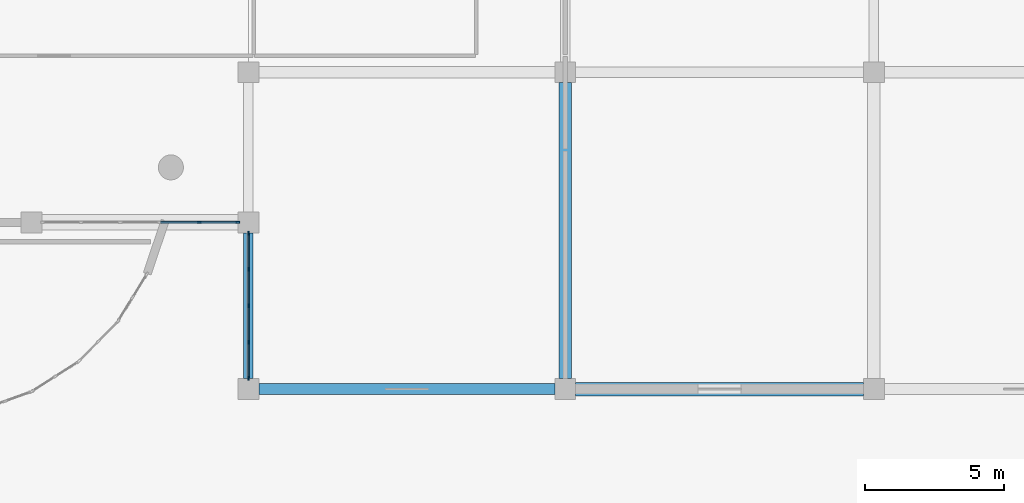
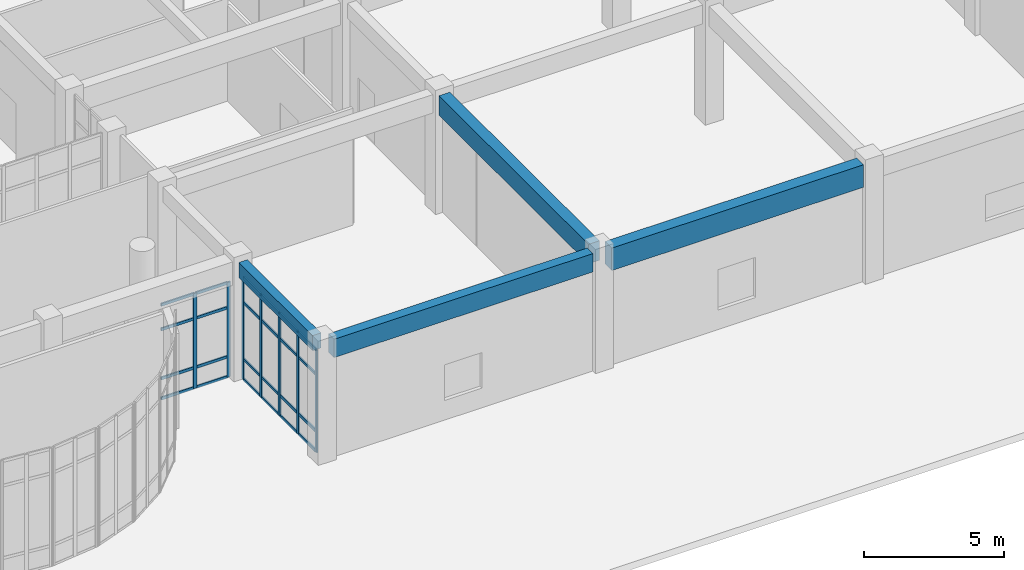
# One storey, part 24 of 70: 31 members, 4 beams, 2 elements without a shape of their own.
"""IFC4 building model written with IfcOpenShell, lengths in metres."""

from ifc_helpers import new_model, si_unit, direction, frame, origin, origin_2d, place, context, subcontext, project, spatial, rectangle, extrude, material, layer, layer_set, material_profile, profile_set, type_object, element, aggregate, save


model = new_model("IFC4")

# Units and contexts
model_context = context("Model", 3, precision=1e-05, world=origin(), true_north=direction((0.0, 1.0)))
body_context = subcontext(model_context, "Body", "Model", "MODEL_VIEW")
ifc_project = project(units=[si_unit("LENGTHUNIT", "METRE"), si_unit("AREAUNIT", "SQUARE_METRE"), si_unit("VOLUMEUNIT", "CUBIC_METRE"), si_unit("PLANEANGLEUNIT", "RADIAN"), si_unit("MASSUNIT", "GRAM", prefix="KILO")], contexts=[model_context])

# Site, building, storey
site_placement = place(None, origin())
site = spatial("IfcSite", under=ifc_project, at=site_placement, CompositionType="ELEMENT")
building_placement = place(site_placement, origin())
building = spatial("IfcBuilding", under=site, at=building_placement, Name="Miralva Faculty of Natural Sciences", CompositionType="ELEMENT")
storey_placement = place(building_placement, origin())
storey = spatial("IfcBuildingStorey", under=building, at=storey_placement, Name="L00", CompositionType="ELEMENT", Elevation=0.0)

# Beams
ifc_material_1 = material(Name="Concrete C40/50", Category="concrete")
ifc_material_profile_1 = material_profile(ifc_material_1, rectangle(XDim=0.449951171875, YDim=0.85009765625, at=origin_2d()), Name="RC 450x850")
ifc_profile_set_1 = profile_set([ifc_material_profile_1], Name="Concrete C40/50")
beam_type_1 = type_object("IfcBeamType", Name="BM-B01", PredefinedType="BEAM", material=ifc_profile_set_1)
beam_1_placement = place(storey_placement, frame((145.199951171875, 12.375, 4.695068359375), z_axis=(0.0, 1.0, 0.0), x_axis=(-1.0, 0.0, 0.0)))
element("IfcBeam", 1, at=beam_1_placement, inside=storey, type_object=beam_type_1, Name="Girder NS L00-187", PredefinedType="BEAM", context=body_context, shape_type="SweptSolid", body=[
    extrude(rectangle(XDim=0.449951171875, YDim=0.85009765625, at=origin_2d()), origin(), (0.0, 0.0, 1.0), 10.64990234375),
])
ifc_material_profile_2 = material_profile(ifc_material_1, rectangle(XDim=0.39990234375, YDim=0.800048828125, at=origin_2d()), Name="RC 400x800")
ifc_profile_set_2 = profile_set([ifc_material_profile_2], Name="Concrete C40/50")
beam_type_2 = type_object("IfcBeamType", Name="BM-B02", PredefinedType="BEAM", material=ifc_profile_set_2)
beam_2_placement = place(storey_placement, frame((134.175048828125, 12.0, 4.719970703125), z_axis=(1.0, 0.0, 0.0), x_axis=(0.0, 1.0, 0.0)))
element("IfcBeam", 2, at=beam_2_placement, inside=storey, type_object=beam_type_2, Name="Girder EW L00-16", PredefinedType="BEAM", context=body_context, shape_type="SweptSolid", body=[
    extrude(rectangle(XDim=0.39990234375, YDim=0.800048828125, at=origin_2d()), origin(), (0.0, 0.0, 1.0), 10.64990234375),
])
ifc_material_profile_3 = material_profile(ifc_material_1, rectangle(XDim=0.35009765625, YDim=0.64990234375, at=origin_2d()), Name="RC 350x650")
ifc_profile_set_3 = profile_set([ifc_material_profile_3], Name="Concrete C40/50")
beam_type_3 = type_object("IfcBeamType", Name="BM-B05", PredefinedType="BEAM", material=ifc_profile_set_3)
beam_3_placement = place(storey_placement, frame((133.800048828125, 12.375, 4.794921875), z_axis=(0.0, 1.0, 0.0), x_axis=(-1.0, 0.0, 0.0)))
element("IfcBeam", 3, at=beam_3_placement, inside=storey, type_object=beam_type_3, Name="Girder NS L00-175", PredefinedType="BEAM", context=body_context, shape_type="SweptSolid", body=[
    extrude(rectangle(XDim=0.35009765625, YDim=0.64990234375, at=origin_2d()), origin(), (0.0, 0.0, 1.0), 5.25),
])
ifc_material_profile_4 = material_profile(ifc_material_1, rectangle(XDim=0.47998046875, YDim=0.97998046875, at=origin_2d()), Name="RC 480x980")
ifc_profile_set_4 = profile_set([ifc_material_profile_4], Name="Concrete C40/50")
beam_type_4 = type_object("IfcBeamType", Name="BM-BG18", PredefinedType="BEAM", material=ifc_profile_set_4)
beam_4_placement = place(storey_placement, frame((145.574951171875, 12.0, 4.6298828125), z_axis=(1.0, 0.0, 0.0), x_axis=(0.0, 1.0, 0.0)))
element("IfcBeam", 4, at=beam_4_placement, inside=storey, type_object=beam_type_4, Name="Girder EW L00-17", PredefinedType="BEAM", context=body_context, shape_type="SweptSolid", body=[
    extrude(rectangle(XDim=0.47998046875, YDim=0.97998046875, at=origin_2d()), origin(), (0.0, 0.0, 1.0), 10.35009765625),
])

# Curtain wall, members
ifc_material_2 = material(Name="Laminated solar-control glass", Category="glass")
ifc_layer_1 = layer(ifc_material_2, 0.179931640625, Name="CW-COM-L00")
ifc_layer_set_1 = layer_set([ifc_layer_1], Name="Laminated solar-control glass")
curtain_wall_type_1 = type_object("IfcCurtainWallType", Name="CW-COM-L00", PredefinedType="USERDEFINED", material=ifc_layer_set_1)
curtain_wall_1_placement = place(storey_placement, origin())
curtain_wall_1 = element("IfcCurtainWall", 5, at=curtain_wall_1_placement, inside=storey, type_object=curtain_wall_type_1, Name="Curtain wall CW-09 L00-255", ObjectType="UNITISED CURTAIN WALL", PredefinedType="USERDEFINED")
ifc_material_3 = material(Name="Anodised aluminium", Category="aluminium")
ifc_material_profile_5 = material_profile(ifc_material_3, rectangle(XDim=0.06005859375, YDim=0.139892578125, at=origin_2d()), Name="MULLION 60x140")
ifc_profile_set_5 = profile_set([ifc_material_profile_5], Name="Anodised aluminium")
member_type_1 = type_object("IfcMemberType", Name="CW-M03", PredefinedType="MULLION", material=ifc_profile_set_5)
member_1_placement = place(storey_placement, frame((133.800048828125, 12.39501953125, 0.0), z_axis=(0.0, 0.0, 1.0), x_axis=(-1.0, 0.0, 0.0)))
member_1 = element("IfcMember", 6, at=member_1_placement, type_object=member_type_1, Name="CW-09 mullion 1", PredefinedType="MULLION", context=body_context, shape_type="SweptSolid", body=[
    extrude(rectangle(XDim=0.06005859375, YDim=0.139892578125, at=origin_2d()), origin(), (0.0, 0.0, 1.0), 4.465087890625),
])
member_2_placement = place(storey_placement, frame((133.800048828125, 13.6826171875, 0.0), z_axis=(0.0, 0.0, 1.0), x_axis=(-1.0, 0.0, 0.0)))
member_2 = element("IfcMember", 7, at=member_2_placement, type_object=member_type_1, Name="CW-09 mullion 2", PredefinedType="MULLION", context=body_context, shape_type="SweptSolid", body=[
    extrude(rectangle(XDim=0.06005859375, YDim=0.139892578125, at=origin_2d()), origin(), (0.0, 0.0, 1.0), 4.465087890625),
])
member_3_placement = place(storey_placement, frame((133.800048828125, 15.0, 0.0), z_axis=(0.0, 0.0, 1.0), x_axis=(-1.0, 0.0, 0.0)))
member_3 = element("IfcMember", 8, at=member_3_placement, type_object=member_type_1, Name="CW-09 mullion 3", PredefinedType="MULLION", context=body_context, shape_type="SweptSolid", body=[
    extrude(rectangle(XDim=0.06005859375, YDim=0.139892578125, at=origin_2d()), origin(), (0.0, 0.0, 1.0), 4.465087890625),
])
member_4_placement = place(storey_placement, frame((133.800048828125, 16.3173828125, 0.0), z_axis=(0.0, 0.0, 1.0), x_axis=(-1.0, 0.0, 0.0)))
member_4 = element("IfcMember", 9, at=member_4_placement, type_object=member_type_1, Name="CW-09 mullion 4", PredefinedType="MULLION", context=body_context, shape_type="SweptSolid", body=[
    extrude(rectangle(XDim=0.06005859375, YDim=0.139892578125, at=origin_2d()), origin(), (0.0, 0.0, 1.0), 4.465087890625),
])
member_5_placement = place(storey_placement, frame((133.800048828125, 17.60498046875, 0.0), z_axis=(0.0, 0.0, 1.0), x_axis=(-1.0, 0.0, 0.0)))
member_5 = element("IfcMember", 10, at=member_5_placement, type_object=member_type_1, Name="CW-09 mullion 5", PredefinedType="MULLION", context=body_context, shape_type="SweptSolid", body=[
    extrude(rectangle(XDim=0.06005859375, YDim=0.139892578125, at=origin_2d()), origin(), (0.0, 0.0, 1.0), 4.465087890625),
])

ifc_layer_2 = layer(ifc_material_2, 0.179931640625, Name="CW-COM-L01")
ifc_layer_set_2 = layer_set([ifc_layer_2], Name="Laminated solar-control glass")
curtain_wall_type_2 = type_object("IfcCurtainWallType", Name="CW-COM-L01", PredefinedType="USERDEFINED", material=ifc_layer_set_2)
curtain_wall_2_placement = place(storey_placement, origin())
curtain_wall_2 = element("IfcCurtainWall", 11, at=curtain_wall_2_placement, inside=storey, type_object=curtain_wall_type_2, Name="Curtain wall CW-10 L00-284", ObjectType="UNITISED CURTAIN WALL", PredefinedType="USERDEFINED")
member_6_placement = place(storey_placement, frame((132.029052734375, 18.0, 0.0), z_axis=(0.0, 0.0, 1.0), x_axis=(0.0, 1.0, 0.0)))
member_6 = element("IfcMember", 12, at=member_6_placement, type_object=member_type_1, Name="CW-10 mullion 5", PredefinedType="MULLION", context=body_context, shape_type="SweptSolid", body=[
    extrude(rectangle(XDim=0.06005859375, YDim=0.139892578125, at=origin_2d()), origin(), (0.0, 0.0, 1.0), 4.135009765625),
])
member_7_placement = place(storey_placement, frame((133.4150390625, 18.0, 0.0), z_axis=(0.0, 0.0, 1.0), x_axis=(0.0, 1.0, 0.0)))
member_7 = element("IfcMember", 13, at=member_7_placement, type_object=member_type_1, Name="CW-10 mullion 6", PredefinedType="MULLION", context=body_context, shape_type="SweptSolid", body=[
    extrude(rectangle(XDim=0.06005859375, YDim=0.139892578125, at=origin_2d()), origin(), (0.0, 0.0, 1.0), 4.135009765625),
])

# Member
ifc_material_profile_6 = material_profile(ifc_material_3, rectangle(XDim=0.06005859375, YDim=0.1201171875, at=origin_2d()), Name="TRANSOM 60x120")
ifc_profile_set_6 = profile_set([ifc_material_profile_6], Name="Anodised aluminium")
member_type_2 = type_object("IfcMemberType", Name="CW-T02", PredefinedType="USERDEFINED", material=ifc_profile_set_6)
member_8_placement = place(storey_placement, frame((133.800048828125, 12.425048828125, 0.030029296875), z_axis=(0.0, 1.0, 0.0), x_axis=(-1.0, 0.0, 0.0)))
member_8 = element("IfcMember", 14, at=member_8_placement, type_object=member_type_2, Name="CW-09 transom 1.1", ObjectType="TRANSOM", PredefinedType="USERDEFINED", context=body_context, shape_type="SweptSolid", body=[
    extrude(rectangle(XDim=0.06005859375, YDim=0.1201171875, at=origin_2d()), origin(), (0.0, 0.0, 1.0), 1.2275390625),
])

member_9_placement = place(storey_placement, frame((133.800048828125, 12.425048828125, 0.89990234375), z_axis=(0.0, 1.0, 0.0), x_axis=(-1.0, 0.0, 0.0)))
member_9 = element("IfcMember", 15, at=member_9_placement, type_object=member_type_2, Name="CW-09 transom 1.2", ObjectType="TRANSOM", PredefinedType="USERDEFINED", context=body_context, shape_type="SweptSolid", body=[
    extrude(rectangle(XDim=0.06005859375, YDim=0.1201171875, at=origin_2d()), origin(), (0.0, 0.0, 1.0), 1.2275390625),
])

member_10_placement = place(storey_placement, frame((133.800048828125, 12.425048828125, 3.364990234375), z_axis=(0.0, 1.0, 0.0), x_axis=(-1.0, 0.0, 0.0)))
member_10 = element("IfcMember", 16, at=member_10_placement, type_object=member_type_2, Name="CW-09 transom 1.3", ObjectType="TRANSOM", PredefinedType="USERDEFINED", context=body_context, shape_type="SweptSolid", body=[
    extrude(rectangle(XDim=0.06005859375, YDim=0.1201171875, at=origin_2d()), origin(), (0.0, 0.0, 1.0), 1.2275390625),
])

member_11_placement = place(storey_placement, frame((133.800048828125, 12.425048828125, 4.43505859375), z_axis=(0.0, 1.0, 0.0), x_axis=(-1.0, 0.0, 0.0)))
member_11 = element("IfcMember", 17, at=member_11_placement, type_object=member_type_2, Name="CW-09 transom 1.4", ObjectType="TRANSOM", PredefinedType="USERDEFINED", context=body_context, shape_type="SweptSolid", body=[
    extrude(rectangle(XDim=0.06005859375, YDim=0.1201171875, at=origin_2d()), origin(), (0.0, 0.0, 1.0), 1.2275390625),
])

member_12_placement = place(storey_placement, frame((133.800048828125, 13.71240234375, 0.030029296875), z_axis=(0.0, 1.0, 0.0), x_axis=(-1.0, 0.0, 0.0)))
member_12 = element("IfcMember", 18, at=member_12_placement, type_object=member_type_2, Name="CW-09 transom 2.1", ObjectType="TRANSOM", PredefinedType="USERDEFINED", context=body_context, shape_type="SweptSolid", body=[
    extrude(rectangle(XDim=0.06005859375, YDim=0.1201171875, at=origin_2d()), origin(), (0.0, 0.0, 1.0), 1.257568359375),
])

member_13_placement = place(storey_placement, frame((133.800048828125, 13.71240234375, 0.89990234375), z_axis=(0.0, 1.0, 0.0), x_axis=(-1.0, 0.0, 0.0)))
member_13 = element("IfcMember", 19, at=member_13_placement, type_object=member_type_2, Name="CW-09 transom 2.2", ObjectType="TRANSOM", PredefinedType="USERDEFINED", context=body_context, shape_type="SweptSolid", body=[
    extrude(rectangle(XDim=0.06005859375, YDim=0.1201171875, at=origin_2d()), origin(), (0.0, 0.0, 1.0), 1.257568359375),
])

member_14_placement = place(storey_placement, frame((133.800048828125, 13.71240234375, 3.364990234375), z_axis=(0.0, 1.0, 0.0), x_axis=(-1.0, 0.0, 0.0)))
member_14 = element("IfcMember", 20, at=member_14_placement, type_object=member_type_2, Name="CW-09 transom 2.3", ObjectType="TRANSOM", PredefinedType="USERDEFINED", context=body_context, shape_type="SweptSolid", body=[
    extrude(rectangle(XDim=0.06005859375, YDim=0.1201171875, at=origin_2d()), origin(), (0.0, 0.0, 1.0), 1.257568359375),
])

member_15_placement = place(storey_placement, frame((133.800048828125, 13.71240234375, 4.43505859375), z_axis=(0.0, 1.0, 0.0), x_axis=(-1.0, 0.0, 0.0)))
member_15 = element("IfcMember", 21, at=member_15_placement, type_object=member_type_2, Name="CW-09 transom 2.4", ObjectType="TRANSOM", PredefinedType="USERDEFINED", context=body_context, shape_type="SweptSolid", body=[
    extrude(rectangle(XDim=0.06005859375, YDim=0.1201171875, at=origin_2d()), origin(), (0.0, 0.0, 1.0), 1.257568359375),
])

member_16_placement = place(storey_placement, frame((133.800048828125, 15.030029296875, 0.030029296875), z_axis=(0.0, 1.0, 0.0), x_axis=(-1.0, 0.0, 0.0)))
member_16 = element("IfcMember", 22, at=member_16_placement, type_object=member_type_2, Name="CW-09 transom 3.1", ObjectType="TRANSOM", PredefinedType="USERDEFINED", context=body_context, shape_type="SweptSolid", body=[
    extrude(rectangle(XDim=0.06005859375, YDim=0.1201171875, at=origin_2d()), origin(), (0.0, 0.0, 1.0), 1.257568359375),
])

member_17_placement = place(storey_placement, frame((133.800048828125, 15.030029296875, 0.89990234375), z_axis=(0.0, 1.0, 0.0), x_axis=(-1.0, 0.0, 0.0)))
member_17 = element("IfcMember", 23, at=member_17_placement, type_object=member_type_2, Name="CW-09 transom 3.2", ObjectType="TRANSOM", PredefinedType="USERDEFINED", context=body_context, shape_type="SweptSolid", body=[
    extrude(rectangle(XDim=0.06005859375, YDim=0.1201171875, at=origin_2d()), origin(), (0.0, 0.0, 1.0), 1.257568359375),
])

member_18_placement = place(storey_placement, frame((133.800048828125, 15.030029296875, 3.364990234375), z_axis=(0.0, 1.0, 0.0), x_axis=(-1.0, 0.0, 0.0)))
member_18 = element("IfcMember", 24, at=member_18_placement, type_object=member_type_2, Name="CW-09 transom 3.3", ObjectType="TRANSOM", PredefinedType="USERDEFINED", context=body_context, shape_type="SweptSolid", body=[
    extrude(rectangle(XDim=0.06005859375, YDim=0.1201171875, at=origin_2d()), origin(), (0.0, 0.0, 1.0), 1.257568359375),
])

member_19_placement = place(storey_placement, frame((133.800048828125, 15.030029296875, 4.43505859375), z_axis=(0.0, 1.0, 0.0), x_axis=(-1.0, 0.0, 0.0)))
member_19 = element("IfcMember", 25, at=member_19_placement, type_object=member_type_2, Name="CW-09 transom 3.4", ObjectType="TRANSOM", PredefinedType="USERDEFINED", context=body_context, shape_type="SweptSolid", body=[
    extrude(rectangle(XDim=0.06005859375, YDim=0.1201171875, at=origin_2d()), origin(), (0.0, 0.0, 1.0), 1.257568359375),
])

member_20_placement = place(storey_placement, frame((133.800048828125, 16.347412109375, 0.030029296875), z_axis=(0.0, 1.0, 0.0), x_axis=(-1.0, 0.0, 0.0)))
member_20 = element("IfcMember", 26, at=member_20_placement, type_object=member_type_2, Name="CW-09 transom 4.1", ObjectType="TRANSOM", PredefinedType="USERDEFINED", context=body_context, shape_type="SweptSolid", body=[
    extrude(rectangle(XDim=0.06005859375, YDim=0.1201171875, at=origin_2d()), origin(), (0.0, 0.0, 1.0), 1.2275390625),
])

member_21_placement = place(storey_placement, frame((133.800048828125, 16.347412109375, 0.89990234375), z_axis=(0.0, 1.0, 0.0), x_axis=(-1.0, 0.0, 0.0)))
member_21 = element("IfcMember", 27, at=member_21_placement, type_object=member_type_2, Name="CW-09 transom 4.2", ObjectType="TRANSOM", PredefinedType="USERDEFINED", context=body_context, shape_type="SweptSolid", body=[
    extrude(rectangle(XDim=0.06005859375, YDim=0.1201171875, at=origin_2d()), origin(), (0.0, 0.0, 1.0), 1.2275390625),
])

member_22_placement = place(storey_placement, frame((133.800048828125, 16.347412109375, 3.364990234375), z_axis=(0.0, 1.0, 0.0), x_axis=(-1.0, 0.0, 0.0)))
member_22 = element("IfcMember", 28, at=member_22_placement, type_object=member_type_2, Name="CW-09 transom 4.3", ObjectType="TRANSOM", PredefinedType="USERDEFINED", context=body_context, shape_type="SweptSolid", body=[
    extrude(rectangle(XDim=0.06005859375, YDim=0.1201171875, at=origin_2d()), origin(), (0.0, 0.0, 1.0), 1.2275390625),
])

member_23_placement = place(storey_placement, frame((133.800048828125, 16.347412109375, 4.43505859375), z_axis=(0.0, 1.0, 0.0), x_axis=(-1.0, 0.0, 0.0)))
member_23 = element("IfcMember", 29, at=member_23_placement, type_object=member_type_2, Name="CW-09 transom 4.4", ObjectType="TRANSOM", PredefinedType="USERDEFINED", context=body_context, shape_type="SweptSolid", body=[
    extrude(rectangle(XDim=0.06005859375, YDim=0.1201171875, at=origin_2d()), origin(), (0.0, 0.0, 1.0), 1.2275390625),
])

aggregate(curtain_wall_1, [member_1, member_2, member_3, member_4, member_5, member_8, member_9, member_10, member_11, member_12, member_13, member_14, member_15, member_16, member_17, member_18, member_19, member_20, member_21, member_22, member_23])

member_24_placement = place(storey_placement, frame((130.64306640625, 18.0, 0.030029296875), z_axis=(1.0, 0.0, 0.0), x_axis=(0.0, 1.0, 0.0)))
member_24 = element("IfcMember", 30, at=member_24_placement, type_object=member_type_2, Name="CW-10 transom 4.1", ObjectType="TRANSOM", PredefinedType="USERDEFINED", context=body_context, shape_type="SweptSolid", body=[
    extrude(rectangle(XDim=0.06005859375, YDim=0.1201171875, at=origin_2d()), origin(), (0.0, 0.0, 1.0), 1.35595703125),
])

member_25_placement = place(storey_placement, frame((130.64306640625, 18.0, 0.89990234375), z_axis=(1.0, 0.0, 0.0), x_axis=(0.0, 1.0, 0.0)))
member_25 = element("IfcMember", 31, at=member_25_placement, type_object=member_type_2, Name="CW-10 transom 4.2", ObjectType="TRANSOM", PredefinedType="USERDEFINED", context=body_context, shape_type="SweptSolid", body=[
    extrude(rectangle(XDim=0.06005859375, YDim=0.1201171875, at=origin_2d()), origin(), (0.0, 0.0, 1.0), 1.35595703125),
])

member_26_placement = place(storey_placement, frame((130.64306640625, 18.0, 3.034912109375), z_axis=(1.0, 0.0, 0.0), x_axis=(0.0, 1.0, 0.0)))
member_26 = element("IfcMember", 32, at=member_26_placement, type_object=member_type_2, Name="CW-10 transom 4.3", ObjectType="TRANSOM", PredefinedType="USERDEFINED", context=body_context, shape_type="SweptSolid", body=[
    extrude(rectangle(XDim=0.06005859375, YDim=0.1201171875, at=origin_2d()), origin(), (0.0, 0.0, 1.0), 1.35595703125),
])

member_27_placement = place(storey_placement, frame((130.64306640625, 18.0, 4.10498046875), z_axis=(1.0, 0.0, 0.0), x_axis=(0.0, 1.0, 0.0)))
member_27 = element("IfcMember", 33, at=member_27_placement, type_object=member_type_2, Name="CW-10 transom 4.4", ObjectType="TRANSOM", PredefinedType="USERDEFINED", context=body_context, shape_type="SweptSolid", body=[
    extrude(rectangle(XDim=0.06005859375, YDim=0.1201171875, at=origin_2d()), origin(), (0.0, 0.0, 1.0), 1.35595703125),
])

member_28_placement = place(storey_placement, frame((132.05908203125, 18.0, 0.030029296875), z_axis=(1.0, 0.0, 0.0), x_axis=(0.0, 1.0, 0.0)))
member_28 = element("IfcMember", 34, at=member_28_placement, type_object=member_type_2, Name="CW-10 transom 5.1", ObjectType="TRANSOM", PredefinedType="USERDEFINED", context=body_context, shape_type="SweptSolid", body=[
    extrude(rectangle(XDim=0.06005859375, YDim=0.1201171875, at=origin_2d()), origin(), (0.0, 0.0, 1.0), 1.325927734375),
])

member_29_placement = place(storey_placement, frame((132.05908203125, 18.0, 0.89990234375), z_axis=(1.0, 0.0, 0.0), x_axis=(0.0, 1.0, 0.0)))
member_29 = element("IfcMember", 35, at=member_29_placement, type_object=member_type_2, Name="CW-10 transom 5.2", ObjectType="TRANSOM", PredefinedType="USERDEFINED", context=body_context, shape_type="SweptSolid", body=[
    extrude(rectangle(XDim=0.06005859375, YDim=0.1201171875, at=origin_2d()), origin(), (0.0, 0.0, 1.0), 1.325927734375),
])

member_30_placement = place(storey_placement, frame((132.05908203125, 18.0, 3.034912109375), z_axis=(1.0, 0.0, 0.0), x_axis=(0.0, 1.0, 0.0)))
member_30 = element("IfcMember", 36, at=member_30_placement, type_object=member_type_2, Name="CW-10 transom 5.3", ObjectType="TRANSOM", PredefinedType="USERDEFINED", context=body_context, shape_type="SweptSolid", body=[
    extrude(rectangle(XDim=0.06005859375, YDim=0.1201171875, at=origin_2d()), origin(), (0.0, 0.0, 1.0), 1.325927734375),
])

member_31_placement = place(storey_placement, frame((132.05908203125, 18.0, 4.10498046875), z_axis=(1.0, 0.0, 0.0), x_axis=(0.0, 1.0, 0.0)))
member_31 = element("IfcMember", 37, at=member_31_placement, type_object=member_type_2, Name="CW-10 transom 5.4", ObjectType="TRANSOM", PredefinedType="USERDEFINED", context=body_context, shape_type="SweptSolid", body=[
    extrude(rectangle(XDim=0.06005859375, YDim=0.1201171875, at=origin_2d()), origin(), (0.0, 0.0, 1.0), 1.325927734375),
])

aggregate(curtain_wall_2, [member_6, member_7, member_24, member_25, member_26, member_27, member_28, member_29, member_30, member_31])

save(model, "model.ifc")
